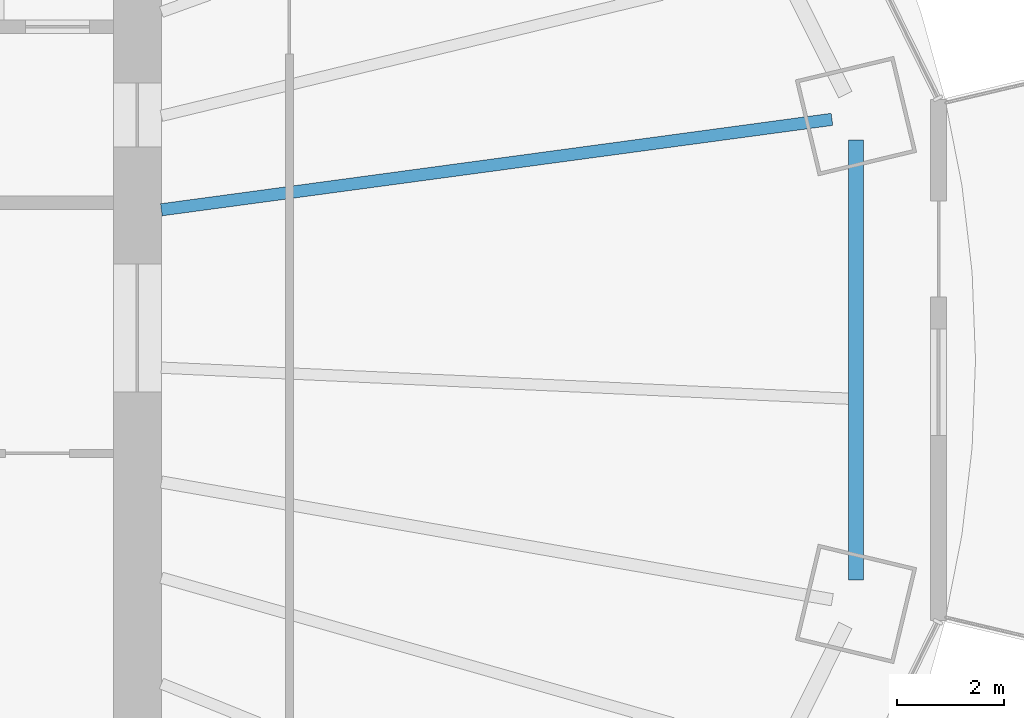
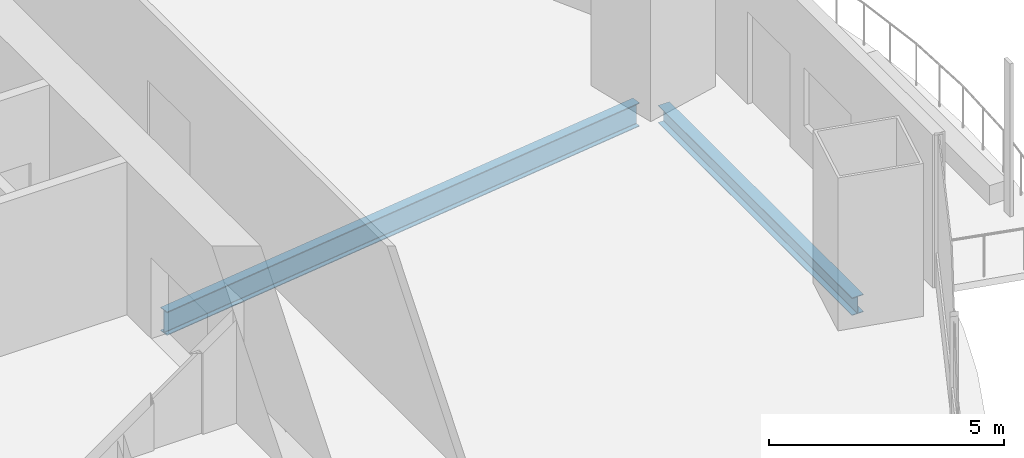
# One storey, part 5 of 19: 2 beams.
"""IFC4 building model written with IfcOpenShell, lengths in metres."""

from ifc_helpers import new_model, si_unit, direction, frame, origin, origin_2d, place, context, subcontext, project, spatial, i_section, extrude, material, material_profile, profile_set, type_object, element, save


model = new_model("IFC4")

# Units and contexts
model_context = context("Model", 3, precision=1e-05, world=origin(), true_north=direction((0.0, 1.0)))
body_context = subcontext(model_context, "Body", "Model", "MODEL_VIEW")
ifc_project = project(units=[si_unit("LENGTHUNIT", "METRE"), si_unit("AREAUNIT", "SQUARE_METRE"), si_unit("VOLUMEUNIT", "CUBIC_METRE"), si_unit("PLANEANGLEUNIT", "RADIAN"), si_unit("MASSUNIT", "GRAM", prefix="KILO")], contexts=[model_context])

# Site, building, storey
site_placement = place(None, origin())
site = spatial("IfcSite", under=ifc_project, at=site_placement, CompositionType="ELEMENT")
building_placement = place(site_placement, origin())
building = spatial("IfcBuilding", under=site, at=building_placement, Name="Marenthal Gate Tower", CompositionType="ELEMENT")
storey_placement = place(building_placement, frame((0.0, 0.0, 252.35009765625)))
storey = spatial("IfcBuildingStorey", under=building, at=storey_placement, Name="L56", CompositionType="ELEMENT", Elevation=252.35009765625)

# Beams
ifc_material_1 = material(Name="Steel S355", Category="steel")
ifc_material_profile_1 = material_profile(ifc_material_1, i_section(OverallWidth=0.279052734375, OverallDepth=0.4619140625, WebThickness=0.0107421875, FlangeThickness=0.017333984375, FilletRadius=0.010009765625, at=origin_2d()), Name="W460X113")
ifc_profile_set_1 = profile_set([ifc_material_profile_1], Name="Steel S355")
beam_type_1 = type_object("IfcBeamType", Name="W460X113 beam", PredefinedType="BEAM", material=ifc_profile_set_1)
beam_1_placement = place(storey_placement, frame((29.480712890625, -4.724609375, -0.4111328125), z_axis=(0.0, 1.0, 0.0), x_axis=(-1.0, 0.0, 0.0)))
element("IfcBeam", 1, at=beam_1_placement, inside=storey, type_object=beam_type_1, Name="BM-L56-56", PredefinedType="BEAM", context=body_context, shape_type="SweptSolid", body=[
    extrude(i_section(OverallWidth=0.279052734375, OverallDepth=0.4619140625, WebThickness=0.0107421875, FlangeThickness=0.017333984375, FilletRadius=0.010009765625, at=origin_2d()), origin(), (0.0, 0.0, 1.0), 8.2490234375),
])
ifc_material_2 = material(Name="Steel S355", Category="steel")
ifc_material_profile_2 = material_profile(ifc_material_2, i_section(OverallWidth=0.22900390625, OverallDepth=0.612060546875, WebThickness=0.011962890625, FlangeThickness=0.01953125, FilletRadius=0.0126953125, at=origin_2d()), Name="W610X125")
ifc_profile_set_2 = profile_set([ifc_material_profile_2], Name="Steel S355")
beam_type_2 = type_object("IfcBeamType", Name="W610X125 beam", PredefinedType="BEAM", material=ifc_profile_set_2)
beam_2_placement = place(storey_placement, frame((29.02978515625, 3.914794921875, -0.486083984375), z_axis=(-0.991030952375, -0.133632523863, 0.0), x_axis=(0.133632523863, -0.991030952375, 0.0)))
element("IfcBeam", 2, at=beam_2_placement, inside=storey, type_object=beam_type_2, Name="BM-L56-01", PredefinedType="BEAM", context=body_context, shape_type="SweptSolid", body=[
    extrude(i_section(OverallWidth=0.22900390625, OverallDepth=0.612060546875, WebThickness=0.011962890625, FlangeThickness=0.01953125, FilletRadius=0.0126953125, at=origin_2d()), origin(), (0.0, 0.0, 1.0), 12.693603515625),
])

save(model, "model.ifc")
